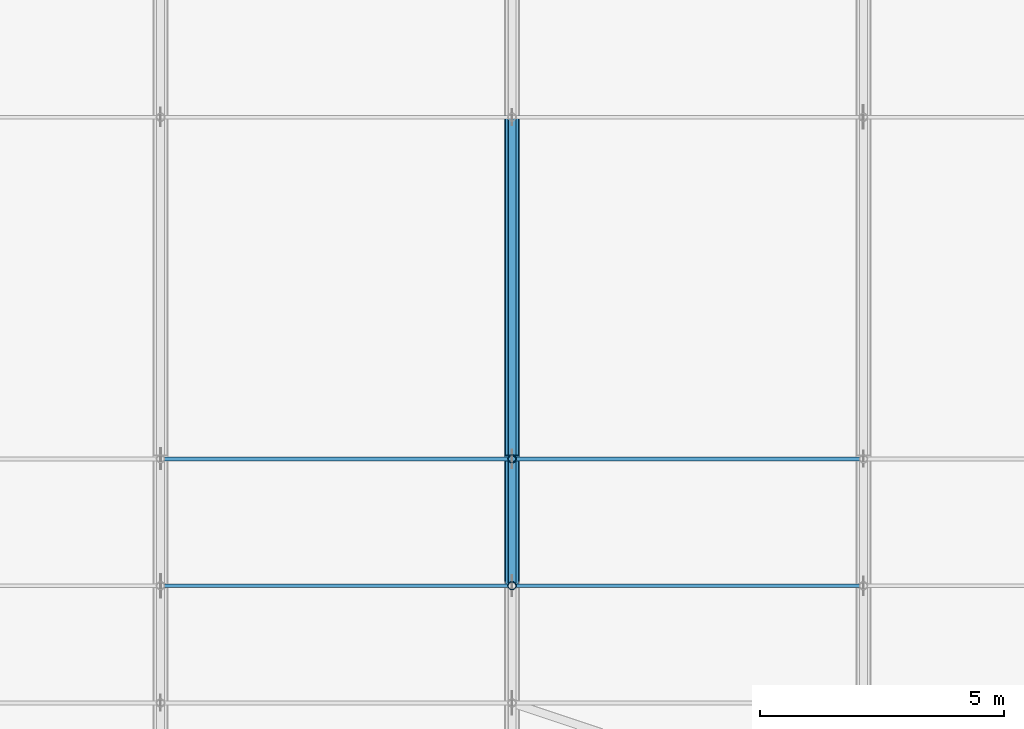
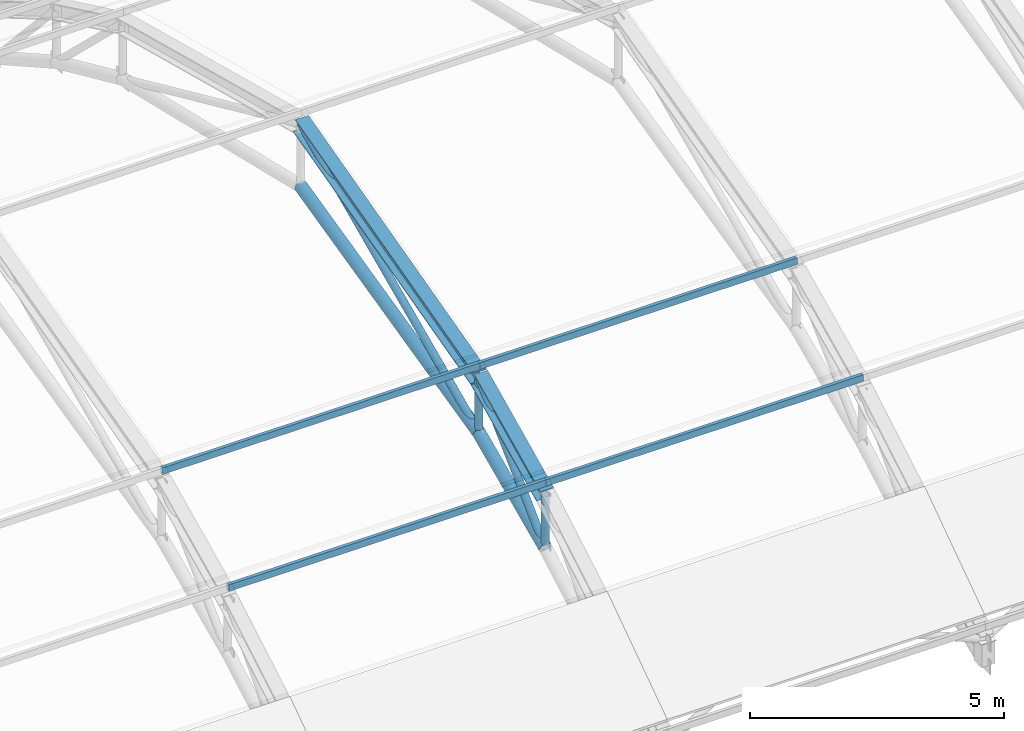
# One storey, part 11 of 63: 10 members, 2 beams.
"""IFC4 building model written with IfcOpenShell, lengths in metres."""

from ifc_helpers import new_model, si_unit, direction, frame, origin, origin_2d, place, context, subcontext, project, spatial, hollow_rectangle, hollow_circle, i_section, extrude, material, material_profile, profile_set, type_object, element, save


model = new_model("IFC4")

# Units and contexts
model_context = context("Model", 3, precision=1e-05, world=origin(), true_north=direction((0.0, 1.0)))
body_context = subcontext(model_context, "Body", "Model", "MODEL_VIEW")
ifc_project = project(units=[si_unit("LENGTHUNIT", "METRE"), si_unit("AREAUNIT", "SQUARE_METRE"), si_unit("VOLUMEUNIT", "CUBIC_METRE"), si_unit("PLANEANGLEUNIT", "RADIAN"), si_unit("MASSUNIT", "GRAM", prefix="KILO")], contexts=[model_context])

# Site, building, storey
site_placement = place(None, origin())
site = spatial("IfcSite", under=ifc_project, at=site_placement, CompositionType="ELEMENT")
building_placement = place(site_placement, origin())
building = spatial("IfcBuilding", under=site, at=building_placement, Name="Solvadek Multi-Sports Hall", CompositionType="ELEMENT")
storey_placement = place(building_placement, frame((0.0, 0.0, 19.199951171875)))
storey = spatial("IfcBuildingStorey", under=building, at=storey_placement, Name="RF", CompositionType="ELEMENT", Elevation=19.199951171875)

# Members
ifc_material_1 = material(Name="Steel E350 (350 MPa)", Category="steel")
ifc_material_profile_1 = material_profile(ifc_material_1, hollow_circle(Radius=0.084228515625, WallThickness=0.008056640625, at=origin_2d()), Name="CHS 168.3x8")
ifc_profile_set_1 = profile_set([ifc_material_profile_1], Name="Steel E350 (350 MPa)")
member_type_1 = type_object("IfcMemberType", Name="STR-BRC-CHS168", PredefinedType="BRACE", material=ifc_profile_set_1)
member_1_placement = place(storey_placement, frame((43.199951171875, 54.0, -2.441650390625), z_axis=(0.0, 0.0, 1.0), x_axis=(1.0, 0.0, 0.0)))
element("IfcMember", 1, at=member_1_placement, inside=storey, type_object=member_type_1, Name="v4 Truss 4 Web Vertical 2", PredefinedType="BRACE", context=body_context, shape_type="SweptSolid", body=[
    extrude(hollow_circle(Radius=0.084228515625, WallThickness=0.008056640625, at=origin_2d()), origin(), (0.0, 0.0, 1.0), 1.2666015625),
])
member_2_placement = place(storey_placement, frame((43.199951171875, 54.0, -2.441650390625), z_axis=(0.0, 0.720237610838, 0.693727456523), x_axis=(-1.0, 0.0, 0.0)))
element("IfcMember", 2, at=member_2_placement, inside=storey, type_object=member_type_1, Name="v4 Truss 4 Web Diagonal 3", PredefinedType="BRACE", context=body_context, shape_type="SweptSolid", body=[
    extrude(hollow_circle(Radius=0.084228515625, WallThickness=0.008056640625, at=origin_2d()), origin(), (0.0, 0.0, 1.0), 3.610107421875),
])
member_3_placement = place(storey_placement, frame((43.199951171875, 56.60009765625, -1.26708984375), z_axis=(0.0, 0.0, 1.0), x_axis=(1.0, 0.0, 0.0)))
element("IfcMember", 3, at=member_3_placement, inside=storey, type_object=member_type_1, Name="v4 Truss 4 Web Vertical 3", PredefinedType="BRACE", context=body_context, shape_type="SweptSolid", body=[
    extrude(hollow_circle(Radius=0.084228515625, WallThickness=0.008056640625, at=origin_2d()), origin(), (0.0, 0.0, 1.0), 1.329833984375),
])
member_4_placement = place(storey_placement, frame((43.199951171875, 56.60009765625, -1.26708984375), z_axis=(0.0, 0.911080077549, 0.412229417064), x_axis=(-1.0, 0.0, 0.0)))
element("IfcMember", 4, at=member_4_placement, inside=storey, type_object=member_type_1, Name="v4 Truss 4 Web Diagonal 4", PredefinedType="BRACE", context=body_context, shape_type="SweptSolid", body=[
    extrude(hollow_circle(Radius=0.084228515625, WallThickness=0.008056640625, at=origin_2d()), origin(), (0.0, 0.0, 1.0), 7.68310546875),
])
ifc_material_profile_2 = material_profile(ifc_material_1, hollow_circle(Radius=0.136474609375, WallThickness=0.011962890625, at=origin_2d()), Name="CHS 273.0x12")
ifc_profile_set_2 = profile_set([ifc_material_profile_2], Name="Steel E350 (350 MPa)")
member_type_2 = type_object("IfcMemberType", Name="STR-CHD-CHS273", PredefinedType="CHORD", material=ifc_profile_set_2)
member_5_placement = place(storey_placement, frame((43.199951171875, 54.0, -2.441650390625), z_axis=(0.0, 0.911328142268, 0.411680722296), x_axis=(-1.0, 0.0, 0.0)))
element("IfcMember", 5, at=member_5_placement, inside=storey, type_object=member_type_2, Name="v4 Arched Truss 4 Bottom Chord 3", PredefinedType="CHORD", context=body_context, shape_type="SweptSolid", body=[
    extrude(hollow_circle(Radius=0.136474609375, WallThickness=0.011962890625, at=origin_2d()), origin(), (0.0, 0.0, 1.0), 2.85302734375),
])
member_6_placement = place(storey_placement, frame((43.199951171875, 56.60009765625, -1.26708984375), z_axis=(0.0, 0.972788374031, 0.231695445252), x_axis=(-1.0, 0.0, 0.0)))
element("IfcMember", 6, at=member_6_placement, inside=storey, type_object=member_type_2, Name="v4 Arched Truss 4 Bottom Chord 4", PredefinedType="CHORD", context=body_context, shape_type="SweptSolid", body=[
    extrude(hollow_circle(Radius=0.136474609375, WallThickness=0.011962890625, at=origin_2d()), origin(), (0.0, 0.0, 1.0), 7.19580078125),
])
ifc_material_2 = material(Name="Steel E250 (250 MPa)", Category="steel")
ifc_material_profile_3 = material_profile(ifc_material_2, hollow_rectangle(XDim=0.080078125, YDim=0.159912109375, WallThickness=0.006103515625, at=origin_2d()), Name="RHS 160x80x6")
ifc_profile_set_3 = profile_set([ifc_material_profile_3], Name="Steel E250 (250 MPa)")
member_type_3 = type_object("IfcMemberType", Name="STR-PUR-RHS160", PredefinedType="PURLIN", material=ifc_profile_set_3)
for number, where, z_axis, x_axis, name in (
    (7, (36.0, 54.0, -0.88232421875), (1.0, 0.0, 0.0), (0.0, 1.0, 0.0), "V4 Roof Purlin #84"),
    (8, (36.0, 56.60009765625, 0.34619140625), (1.0, 0.0, 0.0), (0.0, 1.0, 0.0), "V4 Roof Purlin #85"),
    (9, (43.199951171875, 54.0, -0.88232421875), (1.0, 0.0, 0.0), (0.0, 1.0, 0.0), "V4 Roof Purlin #93"),
    (10, (43.199951171875, 56.60009765625, 0.34619140625), (1.0, 0.0, 0.0), (0.0, 1.0, 0.0), "V4 Roof Purlin #94"),
):
    element("IfcMember", number, at=place(storey_placement, frame(where, z_axis=z_axis, x_axis=x_axis)), inside=storey, type_object=member_type_3, Name=name, PredefinedType="PURLIN", context=body_context, shape_type="SweptSolid", body=[
        extrude(hollow_rectangle(XDim=0.080078125, YDim=0.159912109375, WallThickness=0.006103515625, at=origin_2d()), origin(), (0.0, 0.0, 1.0), 7.199951171875),
    ])

# Beams
ifc_material_profile_4 = material_profile(ifc_material_1, i_section(OverallWidth=0.300048828125, OverallDepth=0.360107421875, WebThickness=0.012451171875, FlangeThickness=0.0224609375, at=origin_2d()), Name="WPB 360")
ifc_profile_set_4 = profile_set([ifc_material_profile_4], Name="Steel E350 (350 MPa)")
beam_type = type_object("IfcBeamType", Name="STR-TRS-WPB360", PredefinedType="USERDEFINED", material=ifc_profile_set_4)
beam_1_placement = place(storey_placement, frame((43.199951171875, 54.0, -1.175048828125), z_axis=(0.0, 0.902907526392, 0.429834850592), x_axis=(-1.0, 0.0, 0.0)))
element("IfcBeam", 11, at=beam_1_placement, inside=storey, type_object=beam_type, Name="v4 Arched Truss 4 Top Chord 3", ObjectType="ROOF TRUSS", PredefinedType="USERDEFINED", context=body_context, shape_type="SweptSolid", body=[
    extrude(i_section(OverallWidth=0.300048828125, OverallDepth=0.360107421875, WebThickness=0.012451171875, FlangeThickness=0.0224609375, at=origin_2d()), origin(), (0.0, 0.0, 1.0), 2.879638671875),
])
beam_2_placement = place(storey_placement, frame((43.199951171875, 56.60009765625, 0.062744140625), z_axis=(0.0, 0.967234279075, 0.253885504475), x_axis=(-1.0, 0.0, 0.0)))
element("IfcBeam", 12, at=beam_2_placement, inside=storey, type_object=beam_type, Name="v4 Arched Truss 4 Top Chord 4", ObjectType="ROOF TRUSS", PredefinedType="USERDEFINED", context=body_context, shape_type="SweptSolid", body=[
    extrude(i_section(OverallWidth=0.300048828125, OverallDepth=0.360107421875, WebThickness=0.012451171875, FlangeThickness=0.0224609375, at=origin_2d()), origin(), (0.0, 0.0, 1.0), 7.237060546875),
])

save(model, "model.ifc")
